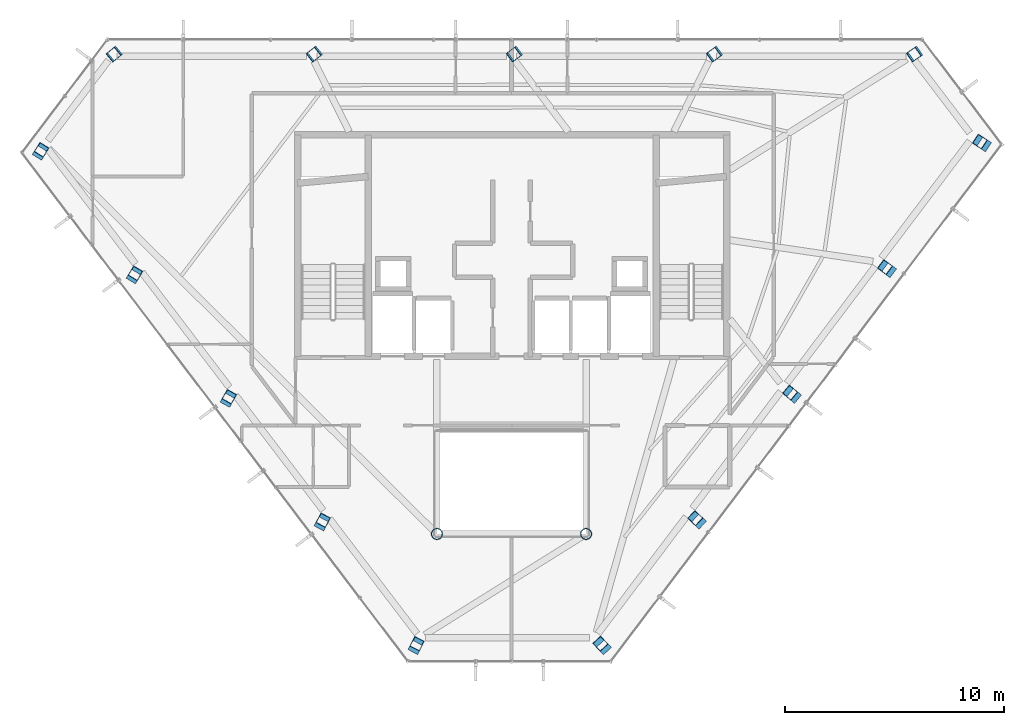
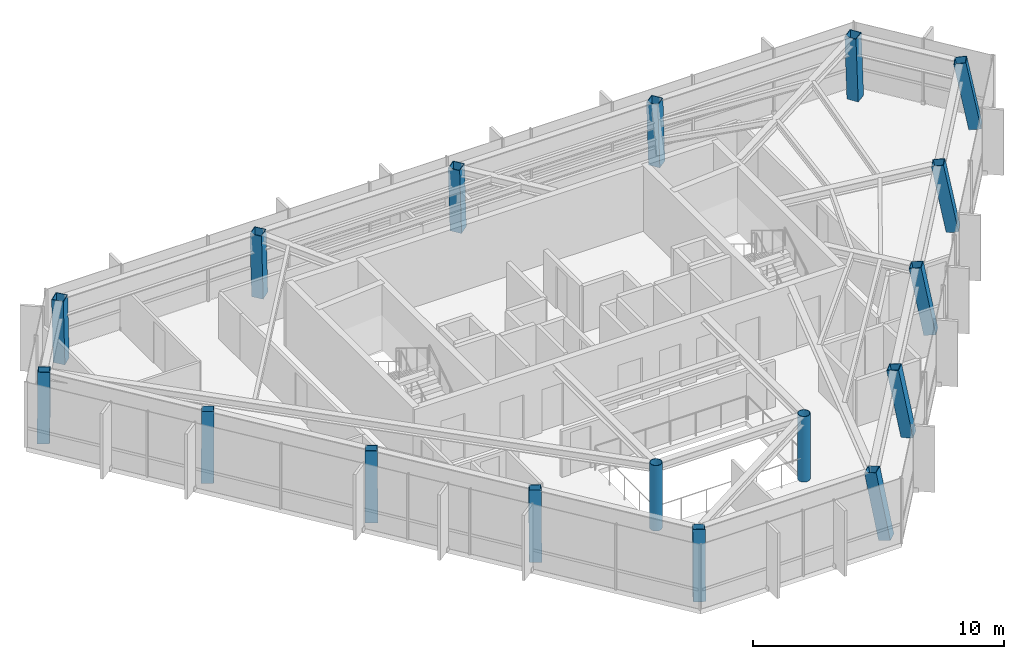
# One storey, part 1 of 25: 17 columns.
"""IFC4 building model written with IfcOpenShell, lengths in metres."""

import ifcopenshell
import ifcopenshell.guid

model = None  # the IFC model being written
_history = None  # IfcOwnerHistory: only IFC2X3 demands one
_inside = {}  # id of a spatial element -> (the spatial element, [elements in it])
_under = {}  # id of a project, library or spatial element -> (it, [spatial elements below it])
_declared = {}  # id of a project -> (the project, [libraries it declares])
_typed = {}  # id of a type object -> (the type object, [elements of that type])
_made_of = {}  # id of a material, layer set ... -> (it, [elements and type objects made of it])


def new_model(schema):
    """Start an empty IFC model of exactly this schema.

    Asked for "IFC4X3", IfcOpenShell would pick the latest addendum, in which some entities
    have other attributes; the version numbers below select the first issue.
    IFC2X3 requires an IfcOwnerHistory on every rooted entity: one is made here for all.
    """
    global model, _history
    if schema == "IFC4X3":
        model = ifcopenshell.file(schema_version=(4, 3, 0, 0))
    else:
        model = ifcopenshell.file(schema=schema)
    _inside.clear()
    _under.clear()
    _declared.clear()
    _typed.clear()
    _made_of.clear()
    _history = None
    if model.schema == "IFC2X3":
        org = make("IfcOrganization", Name="unknown")
        user = make(
            "IfcPersonAndOrganization",
            ThePerson=make("IfcPerson", FamilyName="unknown"),
            TheOrganization=org,
        )
        app = make(
            "IfcApplication",
            ApplicationDeveloper=org,
            Version="unknown",
            ApplicationFullName="unknown",
            ApplicationIdentifier="unknown",
        )
        _history = make(
            "IfcOwnerHistory",
            OwningUser=user,
            OwningApplication=app,
            ChangeAction="ADDED",
            CreationDate=0,
        )
    return model


def make(cls, **values):
    """One entity of the class cls with the attributes given. An attribute that is None is left unset."""
    return model.create_entity(
        cls, **{name: value for name, value in values.items() if value is not None}
    )


def rooted(cls, **values):
    """An entity with a GlobalId (a new one), such as an element, a storey or a relation."""
    return make(cls, GlobalId=ifcopenshell.guid.new(), OwnerHistory=_history, **values)


def si_unit(unit_type, name, prefix=None):
    """IfcSIUnit, for example si_unit("LENGTHUNIT", "METRE", prefix="MILLI")."""
    return make("IfcSIUnit", UnitType=unit_type, Prefix=prefix, Name=name)


def assignment(units):
    """IfcUnitAssignment: the units of a project."""
    return None if units is None else make("IfcUnitAssignment", Units=units)


def point(xyz):
    """IfcCartesianPoint."""
    return None if xyz is None else make("IfcCartesianPoint", Coordinates=xyz)


def direction(xyz):
    """IfcDirection."""
    return None if xyz is None else make("IfcDirection", DirectionRatios=xyz)


def frame(location, z_axis=None, x_axis=None):
    """IfcAxis2Placement3D, a coordinate frame: its origin and axes. An axis left out is left unset."""
    return make(
        "IfcAxis2Placement3D",
        Location=point(location),
        Axis=direction(z_axis),
        RefDirection=direction(x_axis),
    )


def frame_2d(location, x_axis=None):
    """IfcAxis2Placement2D, a coordinate frame in the plane: its origin and x axis."""
    return make(
        "IfcAxis2Placement2D", Location=point(location), RefDirection=direction(x_axis)
    )


def origin():
    """The frame at (0, 0, 0) with its axes left unset."""
    return frame((0.0, 0.0, 0.0))


def origin_2d():
    """The frame at (0, 0) in the plane with its x axis left unset."""
    return frame_2d((0.0, 0.0))


def place(relative_to, where):
    """IfcLocalPlacement: puts the frame where relative to a parent placement (None: the world)."""
    return make(
        "IfcLocalPlacement", PlacementRelTo=relative_to, RelativePlacement=where
    )


def context(
    kind, dimensions, precision=None, world=None, true_north=None, identifier=None
):
    """IfcGeometricRepresentationContext, for example the 3D "Model" context."""
    return make(
        "IfcGeometricRepresentationContext",
        ContextIdentifier=identifier,
        ContextType=kind,
        CoordinateSpaceDimension=dimensions,
        Precision=precision,
        WorldCoordinateSystem=world,
        TrueNorth=true_north,
    )


def subcontext(parent, identifier, kind, view, scale=None):
    """IfcGeometricRepresentationSubContext, for example "Body" below "Model"."""
    return make(
        "IfcGeometricRepresentationSubContext",
        ContextIdentifier=identifier,
        ContextType=kind,
        ParentContext=parent,
        TargetScale=scale,
        TargetView=view,
    )


def project(units=None, contexts=None):
    """IfcProject with its units and contexts."""
    return rooted(
        "IfcProject",
        Name="project",
        RepresentationContexts=contexts,
        UnitsInContext=assignment(units),
    )


def spatial(cls, under=None, at=None, **own):
    """A site, building, storey or space (cls), placed at a placement, below another one or the project."""
    s = rooted(cls, ObjectPlacement=at, **own)
    if under is not None:
        _under.setdefault(under.id(), (under, []))[1].append(s)
    return s


def profile(cls, at=None, kind="AREA", **sizes):
    """A parametric profile (cls). Its sizes go by their IFC names, for example OverallWidth=200.0."""
    return make(cls, ProfileType=kind, Position=at, **sizes)


def hollow_rectangle(**sizes):
    """IfcRectangleHollowProfileDef."""
    return profile("IfcRectangleHollowProfileDef", **sizes)


def hollow_circle(**sizes):
    """IfcCircleHollowProfileDef."""
    return profile("IfcCircleHollowProfileDef", **sizes)


def extrude(swept, where, along, depth):
    """IfcExtrudedAreaSolid: the profile swept, set in the frame where, extruded along a direction by depth."""
    return make(
        "IfcExtrudedAreaSolid",
        SweptArea=swept,
        Position=where,
        ExtrudedDirection=direction(along),
        Depth=depth,
    )


def shape(context_of_items, identifier, shape_type, items):
    """IfcShapeRepresentation: the items that make up one representation, for example the "Body"."""
    return make(
        "IfcShapeRepresentation",
        ContextOfItems=context_of_items,
        RepresentationIdentifier=identifier,
        RepresentationType=shape_type,
        Items=items,
    )


def material(Name=None, Category=None):
    """IfcMaterial."""
    return make("IfcMaterial", Name=Name, Category=Category)


def material_profile(
    of_material, cross_section, Name=None, Category=None, Priority=None
):
    """IfcMaterialProfile: a cross section and its material."""
    return make(
        "IfcMaterialProfile",
        Name=Name,
        Material=of_material,
        Profile=cross_section,
        Priority=Priority,
        Category=Category,
    )


def profile_set(profiles, Name=None, composite=None):
    """IfcMaterialProfileSet."""
    return make(
        "IfcMaterialProfileSet",
        Name=Name,
        MaterialProfiles=profiles,
        CompositeProfile=composite,
    )


def made_of(thing, what):
    """Note that an element or type object is made of a material, layer set ...; save() writes the relation."""
    if what is not None:
        _made_of.setdefault(what.id(), (what, []))[1].append(thing)
    return thing


def type_object(cls, material=None, **own):
    """A type object (cls), such as IfcWallType, which elements share."""
    return made_of(rooted(cls, **own), material)


def element(
    cls,
    number,
    at=None,
    inside=None,
    cuts=None,
    type_object=None,
    material=None,
    context=None,
    identifier="Body",
    shape_type=None,
    held_by="IfcProductDefinitionShape",
    body=None,
    shapes=None,
    **own,
):
    """One element of the class cls, such as IfcWall. Its Tag is "e" and its number.

    at: its placement. inside: the storey or other place that contains it. cuts: it is an
    opening in that element (IfcRelVoidsElement). A single representation is given by context,
    identifier, shape_type and body (its items); several are given by shapes. held_by: the class
    of the entity that holds the representations. save() writes the other relations.
    """
    e = rooted(cls, Tag="e%d" % number, ObjectPlacement=at, **own)
    if body is not None:
        shapes = [shape(context, identifier, shape_type, body)]
    if shapes is not None:
        e.Representation = make(held_by, Representations=shapes)
    if inside is not None:
        _inside.setdefault(inside.id(), (inside, []))[1].append(e)
    if cuts is not None:
        rooted(
            "IfcRelVoidsElement", RelatingBuildingElement=cuts, RelatedOpeningElement=e
        )
    if type_object is not None:
        _typed.setdefault(type_object.id(), (type_object, []))[1].append(e)
    return made_of(e, material)


def aggregate(whole, parts):
    """IfcRelAggregates: a whole, such as a stair, and the parts it consists of."""
    return rooted("IfcRelAggregates", RelatingObject=whole, RelatedObjects=parts)


def save(model, path):
    """Write the relations noted so far, then the file.

    IfcRelAggregates (storeys below a building ...), IfcRelContainedInSpatialStructure (elements
    in a storey), IfcRelDefinesByType, IfcRelAssociatesMaterial and IfcRelDeclares: one each for
    every whole, place, type object, material and project.
    """
    for whole, parts in _under.values():
        aggregate(whole, parts)
    for where, things in _inside.values():
        rooted(
            "IfcRelContainedInSpatialStructure",
            RelatedElements=things,
            RelatingStructure=where,
        )
    for kind, things in _typed.values():
        rooted("IfcRelDefinesByType", RelatedObjects=things, RelatingType=kind)
    for what, things in _made_of.values():
        rooted("IfcRelAssociatesMaterial", RelatedObjects=things, RelatingMaterial=what)
    for by, libraries in _declared.values():
        rooted("IfcRelDeclares", RelatingContext=by, RelatedDefinitions=libraries)
    model.write(path)


model = new_model("IFC4")

# Units and contexts
model_context = context("Model", 3, precision=1e-05, world=origin(), true_north=direction((0.0, 1.0)))
body_context = subcontext(model_context, "Body", "Model", "MODEL_VIEW")
ifc_project = project(units=[si_unit("LENGTHUNIT", "METRE"), si_unit("AREAUNIT", "SQUARE_METRE"), si_unit("VOLUMEUNIT", "CUBIC_METRE"), si_unit("PLANEANGLEUNIT", "RADIAN"), si_unit("MASSUNIT", "GRAM", prefix="KILO")], contexts=[model_context])

# Site, building, storey
site_placement = place(None, origin())
site = spatial("IfcSite", under=ifc_project, at=site_placement, CompositionType="ELEMENT")
building_placement = place(site_placement, origin())
building = spatial("IfcBuilding", under=site, at=building_placement, Name="Zarrinselat Tower", CompositionType="ELEMENT")
storey_placement = place(building_placement, frame((0.0, 0.0, 275.39990234375)))
storey = spatial("IfcBuildingStorey", under=building, at=storey_placement, Name="L70", CompositionType="ELEMENT", Elevation=275.39990234375)

# Columns
ifc_material_1 = material(Name="Steel S355J2", Category="steel")
ifc_material_profile_1 = material_profile(ifc_material_1, hollow_circle(Radius=0.25390625, WallThickness=0.02001953125, at=origin_2d()), Name="CHS 508x20")
ifc_profile_set_1 = profile_set([ifc_material_profile_1], Name="Steel S355J2")
column_type_1 = type_object("IfcColumnType", Name="COL-CHS508", PredefinedType="COLUMN", material=ifc_profile_set_1)
for number, where, z_axis, x_axis, name in (
    (1, (35.0, 25.199951171875, 0.0), (0.0, 0.0, 1.0), (1.0, 0.0, 0.0), "L70 Atrium Corner Column 1"),
    (2, (41.800048828125, 25.199951171875, 0.0), (0.0, 0.0, 1.0), (1.0, 0.0, 0.0), "L70 Atrium Corner Column 2"),
):
    element("IfcColumn", number, at=place(storey_placement, frame(where, z_axis=z_axis, x_axis=x_axis)), inside=storey, type_object=column_type_1, Name=name, PredefinedType="COLUMN", context=body_context, shape_type="SweptSolid", body=[
        extrude(hollow_circle(Radius=0.25390625, WallThickness=0.02001953125, at=origin_2d()), origin(), (0.0, 0.0, 1.0), 3.18017578125),
    ])
ifc_material_2 = material(Name="Steel S355J2", Category="steel")
ifc_material_profile_2 = material_profile(ifc_material_2, hollow_rectangle(XDim=0.5, YDim=0.5, WallThickness=0.02490234375, at=origin_2d()), Name="SHS 500x500x25")
ifc_profile_set_2 = profile_set([ifc_material_profile_2], Name="Steel S355J2")
column_type_2 = type_object("IfcColumnType", Name="COL-SHS500", PredefinedType="COLUMN", material=ifc_profile_set_2)
column_1_placement = place(storey_placement, frame((56.8037109375, 47.10009765625, 0.0), z_axis=(-0.053472483911, -0.03661869242, 0.997897672525), x_axis=(0.565022872756, -0.82507524097, 0.0)))
element("IfcColumn", 3, at=column_1_placement, inside=storey, type_object=column_type_2, Name="L70 Framed-Tube Column T01", PredefinedType="COLUMN", context=body_context, shape_type="SweptSolid", body=[
    extrude(hollow_rectangle(XDim=0.5, YDim=0.5, WallThickness=0.02490234375, at=origin_2d()), origin(), (0.0, 0.0, 1.0), 3.186767578125),
])
column_2_placement = place(storey_placement, frame((47.679443359375, 47.10009765625, 0.0), z_axis=(-0.051103977412, -0.036623240185, 0.99802160386), x_axis=(0.582505522768, -0.812826744113, 0.0)))
element("IfcColumn", 4, at=column_2_placement, inside=storey, type_object=column_type_2, Name="L70 Framed-Tube Column T02", PredefinedType="COLUMN", context=body_context, shape_type="SweptSolid", body=[
    extrude(hollow_rectangle(XDim=0.5, YDim=0.5, WallThickness=0.02490234375, at=origin_2d()), origin(), (0.0, 0.0, 1.0), 3.1865234375),
])
column_3_placement = place(storey_placement, frame((38.555419921875, 47.10009765625, 0.0), z_axis=(-0.048734608296, -0.036627582965, 0.998139949166), x_axis=(0.6008041206, -0.799396277618, 0.0)))
element("IfcColumn", 5, at=column_3_placement, inside=storey, type_object=column_type_2, Name="L70 Framed-Tube Column T03", PredefinedType="COLUMN", context=body_context, shape_type="SweptSolid", body=[
    extrude(hollow_rectangle(XDim=0.5, YDim=0.5, WallThickness=0.02490234375, at=origin_2d()), origin(), (0.0, 0.0, 1.0), 3.18603515625),
])
column_4_placement = place(storey_placement, frame((29.431396484375, 47.10009765625, 0.0), z_axis=(-0.046440886418, -0.036631590277, 0.998249152598), x_axis=(0.619308165543, -0.785148009035, 0.0)))
element("IfcColumn", 6, at=column_4_placement, inside=storey, type_object=column_type_2, Name="L70 Framed-Tube Column T04", PredefinedType="COLUMN", context=body_context, shape_type="SweptSolid", body=[
    extrude(hollow_rectangle(XDim=0.5, YDim=0.5, WallThickness=0.02490234375, at=origin_2d()), origin(), (0.0, 0.0, 1.0), 3.185791015625),
])
column_5_placement = place(storey_placement, frame((20.30712890625, 47.10009765625, 0.0), z_axis=(-0.044069935596, -0.03663552907, 0.998356488829), x_axis=(0.639263127268, -0.768988071504, 0.0)))
element("IfcColumn", 7, at=column_5_placement, inside=storey, type_object=column_type_2, Name="L70 Framed-Tube Column T05", PredefinedType="COLUMN", context=body_context, shape_type="SweptSolid", body=[
    extrude(hollow_rectangle(XDim=0.5, YDim=0.5, WallThickness=0.02490234375, at=origin_2d()), origin(), (0.0, 0.0, 1.0), 3.185302734375),
])
column_6_placement = place(storey_placement, frame((16.890625, 42.582275390625, 0.0), z_axis=(0.07128582903, 0.113281322759, 0.991002357461), x_axis=(-0.846365703842, 0.532602192411, 0.0)))
element("IfcColumn", 8, at=column_6_placement, inside=storey, type_object=column_type_2, Name="L70 Framed-Tube Column T06", PredefinedType="COLUMN", context=body_context, shape_type="SweptSolid", body=[
    extrude(hollow_rectangle(XDim=0.5, YDim=0.5, WallThickness=0.02490234375, at=origin_2d()), origin(), (0.0, 0.0, 1.0), 3.208984375),
])
column_7_placement = place(storey_placement, frame((21.1708984375, 36.9462890625, 0.0), z_axis=(0.070561625905, 0.118464453837, 0.99044799466), x_axis=(-0.859142811566, 0.511735898032, 0.0)))
element("IfcColumn", 9, at=column_7_placement, inside=storey, type_object=column_type_2, Name="L70 Framed-Tube Column T07", PredefinedType="COLUMN", context=body_context, shape_type="SweptSolid", body=[
    extrude(hollow_rectangle(XDim=0.5, YDim=0.5, WallThickness=0.02490234375, at=origin_2d()), origin(), (0.0, 0.0, 1.0), 3.2109375),
])
column_8_placement = place(storey_placement, frame((25.450927734375, 31.31005859375, 0.0), z_axis=(0.06991126496, 0.123712542777, 0.989852323224), x_axis=(-0.870602675334, 0.491986769845, 0.0)))
element("IfcColumn", 10, at=column_8_placement, inside=storey, type_object=column_type_2, Name="L70 Framed-Tube Column T08", PredefinedType="COLUMN", context=body_context, shape_type="SweptSolid", body=[
    extrude(hollow_rectangle(XDim=0.5, YDim=0.5, WallThickness=0.02490234375, at=origin_2d()), origin(), (0.0, 0.0, 1.0), 3.212890625),
])
column_9_placement = place(storey_placement, frame((29.73095703125, 25.674072265625, 0.0), z_axis=(0.069335984522, 0.128875318438, 0.989233882127), x_axis=(-0.880637676987, 0.47379033535, 0.0)))
element("IfcColumn", 11, at=column_9_placement, inside=storey, type_object=column_type_2, Name="L70 Framed-Tube Column T09", PredefinedType="COLUMN", context=body_context, shape_type="SweptSolid", body=[
    extrude(hollow_rectangle(XDim=0.5, YDim=0.5, WallThickness=0.02490234375, at=origin_2d()), origin(), (0.0, 0.0, 1.0), 3.21484375),
])
column_10_placement = place(storey_placement, frame((34.010986328125, 20.0380859375, 0.0), z_axis=(0.068684707396, 0.133954153098, 0.988604418277), x_axis=(-0.889843706044, 0.456265469671, 0.0)))
element("IfcColumn", 12, at=column_10_placement, inside=storey, type_object=column_type_2, Name="L70 Framed-Tube Column T10", PredefinedType="COLUMN", context=body_context, shape_type="SweptSolid", body=[
    extrude(hollow_rectangle(XDim=0.5, YDim=0.5, WallThickness=0.02490234375, at=origin_2d()), origin(), (0.0, 0.0, 1.0), 3.216796875),
])
column_11_placement = place(storey_placement, frame((42.603759765625, 20.0380859375, 0.0), z_axis=(-0.125139786352, 0.133215755676, 0.983154919792), x_axis=(-0.728854316653, -0.68466881417, 0.0)))
element("IfcColumn", 13, at=column_11_placement, inside=storey, type_object=column_type_2, Name="L70 Framed-Tube Column T11", PredefinedType="COLUMN", context=body_context, shape_type="SweptSolid", body=[
    extrude(hollow_rectangle(XDim=0.5, YDim=0.5, WallThickness=0.02490234375, at=origin_2d()), origin(), (0.0, 0.0, 1.0), 3.234619140625),
])
column_12_placement = place(storey_placement, frame((46.9384765625, 25.77001953125, 0.0), z_axis=(-0.133126474894, 0.126032433715, 0.983052982974), x_axis=(-0.687493396244, -0.726190629326, 0.0)))
element("IfcColumn", 14, at=column_12_placement, inside=storey, type_object=column_type_2, Name="L70 Framed-Tube Column T12", PredefinedType="COLUMN", context=body_context, shape_type="SweptSolid", body=[
    extrude(hollow_rectangle(XDim=0.5, YDim=0.5, WallThickness=0.02490234375, at=origin_2d()), origin(), (0.0, 0.0, 1.0), 3.235107421875),
])
column_13_placement = place(storey_placement, frame((51.273193359375, 31.502197265625, 0.0), z_axis=(-0.14102254439, 0.118763769326, 0.98285696267), x_axis=(-0.644160950514, -0.76488997237, 0.0)))
element("IfcColumn", 15, at=column_13_placement, inside=storey, type_object=column_type_2, Name="L70 Framed-Tube Column T13", PredefinedType="COLUMN", context=body_context, shape_type="SweptSolid", body=[
    extrude(hollow_rectangle(XDim=0.5, YDim=0.5, WallThickness=0.02490234375, at=origin_2d()), origin(), (0.0, 0.0, 1.0), 3.235595703125),
])
column_14_placement = place(storey_placement, frame((55.60791015625, 37.234375, 0.0), z_axis=(-0.148972076952, 0.11148391379, 0.982536847785), x_axis=(-0.599156469531, -0.800631953534, 0.0)))
element("IfcColumn", 16, at=column_14_placement, inside=storey, type_object=column_type_2, Name="L70 Framed-Tube Column T14", PredefinedType="COLUMN", context=body_context, shape_type="SweptSolid", body=[
    extrude(hollow_rectangle(XDim=0.5, YDim=0.5, WallThickness=0.02490234375, at=origin_2d()), origin(), (0.0, 0.0, 1.0), 3.23681640625),
])
column_15_placement = place(storey_placement, frame((59.942626953125, 42.966552734375, 0.0), z_axis=(-0.156898205483, 0.104196693886, 0.982102847007), x_axis=(-0.55322127243, -0.83303434727, 0.0)))
element("IfcColumn", 17, at=column_15_placement, inside=storey, type_object=column_type_2, Name="L70 Framed-Tube Column T15", PredefinedType="COLUMN", context=body_context, shape_type="SweptSolid", body=[
    extrude(hollow_rectangle(XDim=0.5, YDim=0.5, WallThickness=0.02490234375, at=origin_2d()), origin(), (0.0, 0.0, 1.0), 3.238037109375),
])

save(model, "model.ifc")
